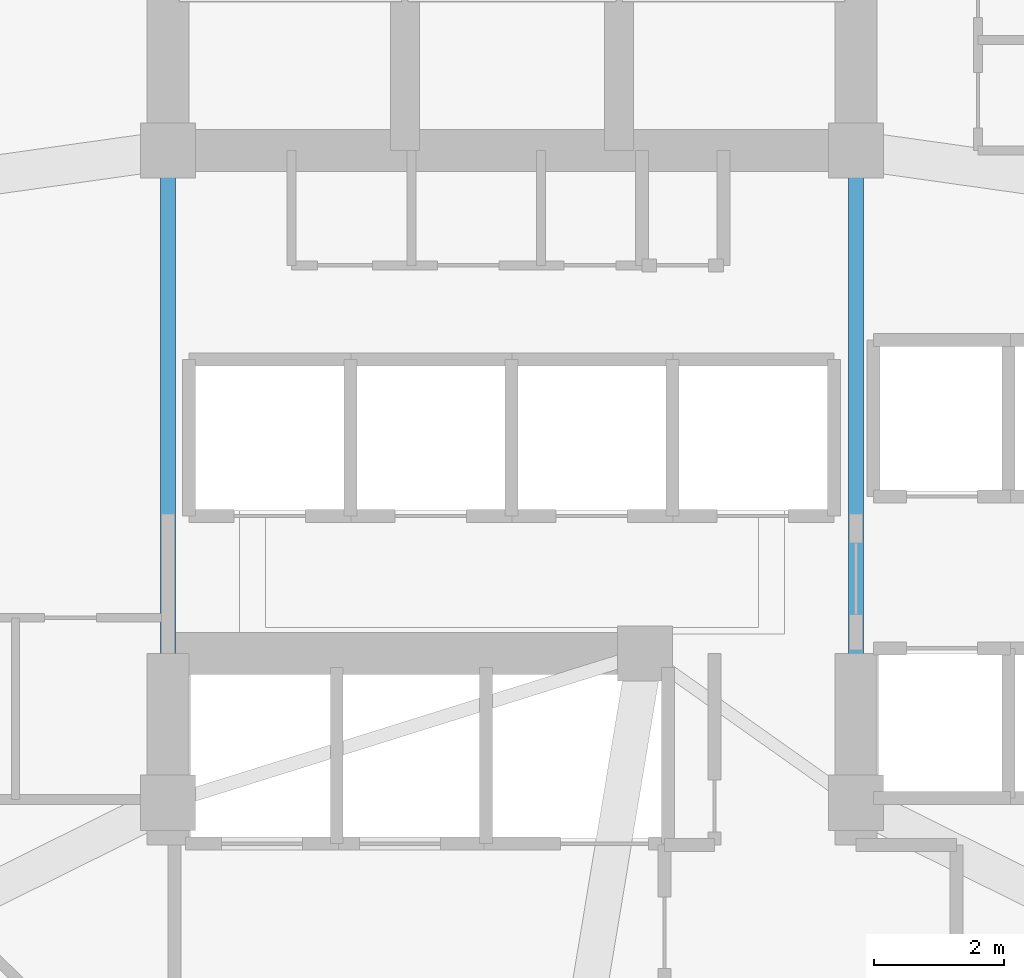
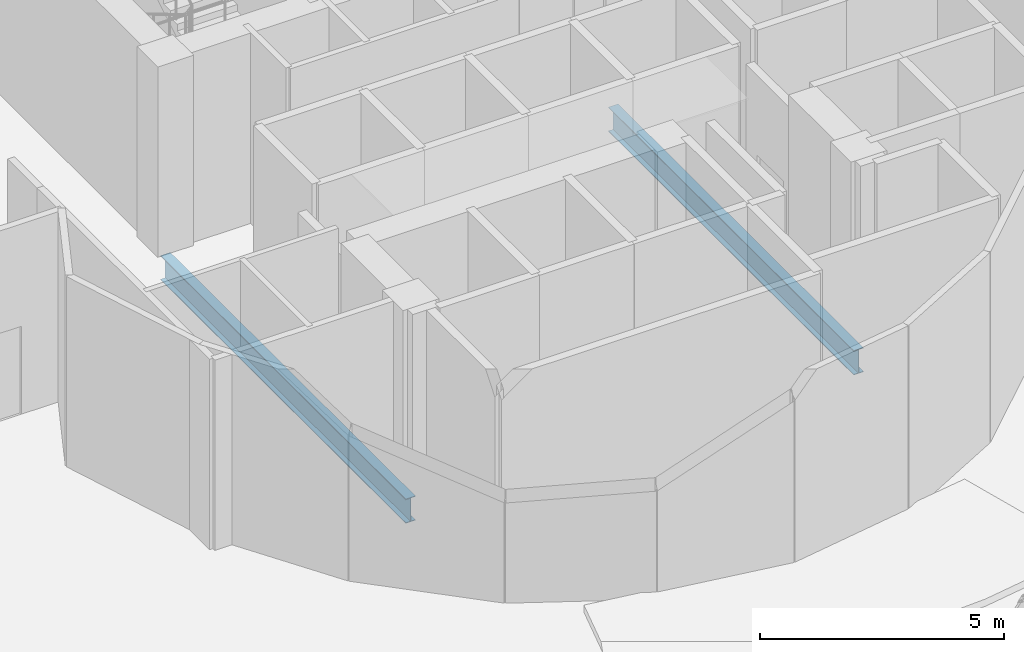
# One storey, part 9 of 31: 2 beams.
"""IFC4 building model written with IfcOpenShell, lengths in metres."""

from ifc_helpers import new_model, si_unit, direction, frame, origin, origin_2d, place, context, subcontext, project, spatial, i_section, extrude, material, material_profile, profile_set, type_object, element, save


model = new_model("IFC4")

# Units and contexts
model_context = context("Model", 3, precision=1e-05, world=origin(), true_north=direction((0.0, 1.0)))
body_context = subcontext(model_context, "Body", "Model", "MODEL_VIEW")
ifc_project = project(units=[si_unit("LENGTHUNIT", "METRE"), si_unit("AREAUNIT", "SQUARE_METRE"), si_unit("VOLUMEUNIT", "CUBIC_METRE"), si_unit("PLANEANGLEUNIT", "RADIAN"), si_unit("MASSUNIT", "GRAM", prefix="KILO")], contexts=[model_context])

# Site, building, storey
site_placement = place(None, origin())
site = spatial("IfcSite", under=ifc_project, at=site_placement, CompositionType="ELEMENT")
building_placement = place(site_placement, origin())
building = spatial("IfcBuilding", under=site, at=building_placement, Name="Nuhasar Tower", CompositionType="ELEMENT")
storey_placement = place(building_placement, frame((0.0, 0.0, 203.14990234375)))
storey = spatial("IfcBuildingStorey", under=building, at=storey_placement, Name="L49", CompositionType="ELEMENT", Elevation=203.14990234375)

# Beams
ifc_material = material(Name="Steel S355", Category="steel")
ifc_material_profile = material_profile(ifc_material, i_section(OverallWidth=0.22900390625, OverallDepth=0.612060546875, WebThickness=0.011962890625, FlangeThickness=0.01953125, at=origin_2d()), Name="W24X84")
ifc_profile_set = profile_set([ifc_material_profile], Name="Steel S355")
beam_type = type_object("IfcBeamType", Name="BM-RAD-W24X84", PredefinedType="BEAM", material=ifc_profile_set)
for number, where, z_axis, x_axis, name in (
    (1, (44.300048828125, 19.0, -0.6259765625), (0.0, 1.0, 0.0), (-1.0, 0.0, 0.0), "L49 Core Ring Girder 3"),
    (2, (33.699951171875, 29.050048828125, -0.6259765625), (0.0, -1.0, 0.0), (1.0, 0.0, 0.0), "L49 Core Ring Girder 8"),
):
    element("IfcBeam", number, at=place(storey_placement, frame(where, z_axis=z_axis, x_axis=x_axis)), inside=storey, type_object=beam_type, Name=name, PredefinedType="BEAM", context=body_context, shape_type="SweptSolid", body=[
        extrude(i_section(OverallWidth=0.22900390625, OverallDepth=0.612060546875, WebThickness=0.011962890625, FlangeThickness=0.01953125, at=origin_2d()), origin(), (0.0, 0.0, 1.0), 10.050048828125),
    ])

save(model, "model.ifc")
